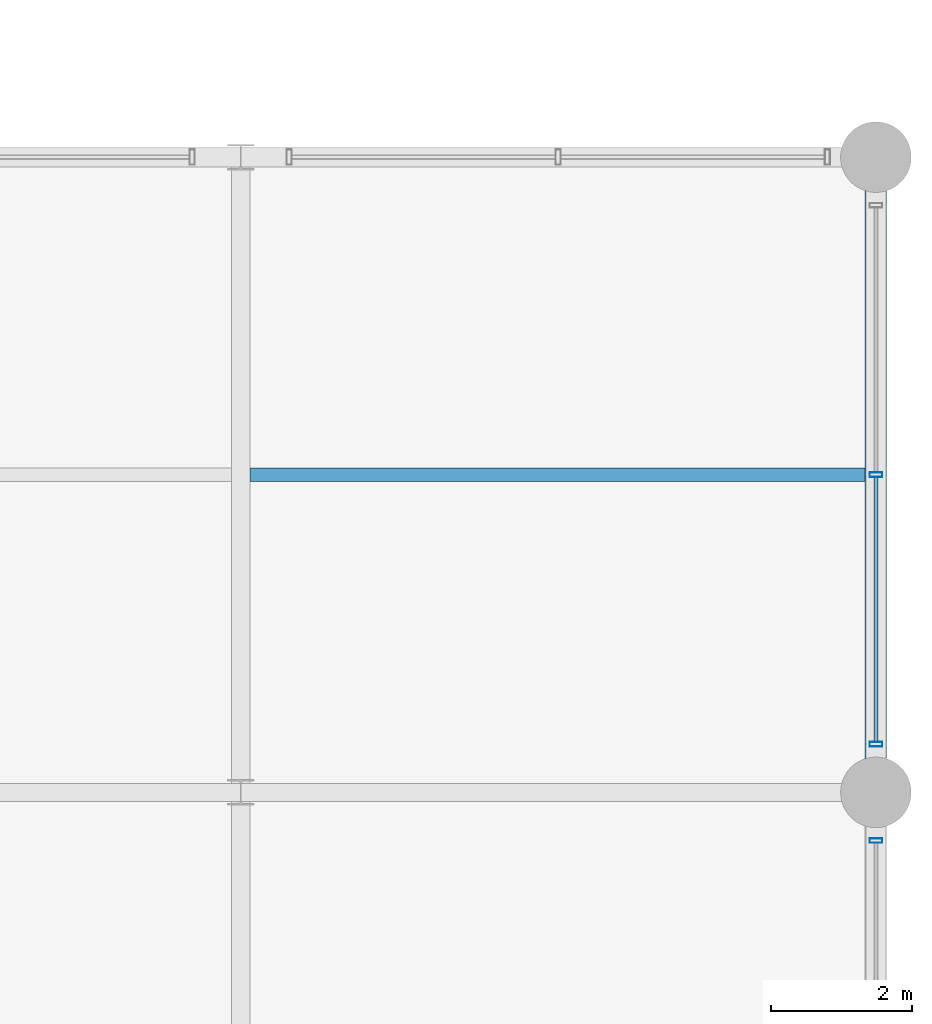
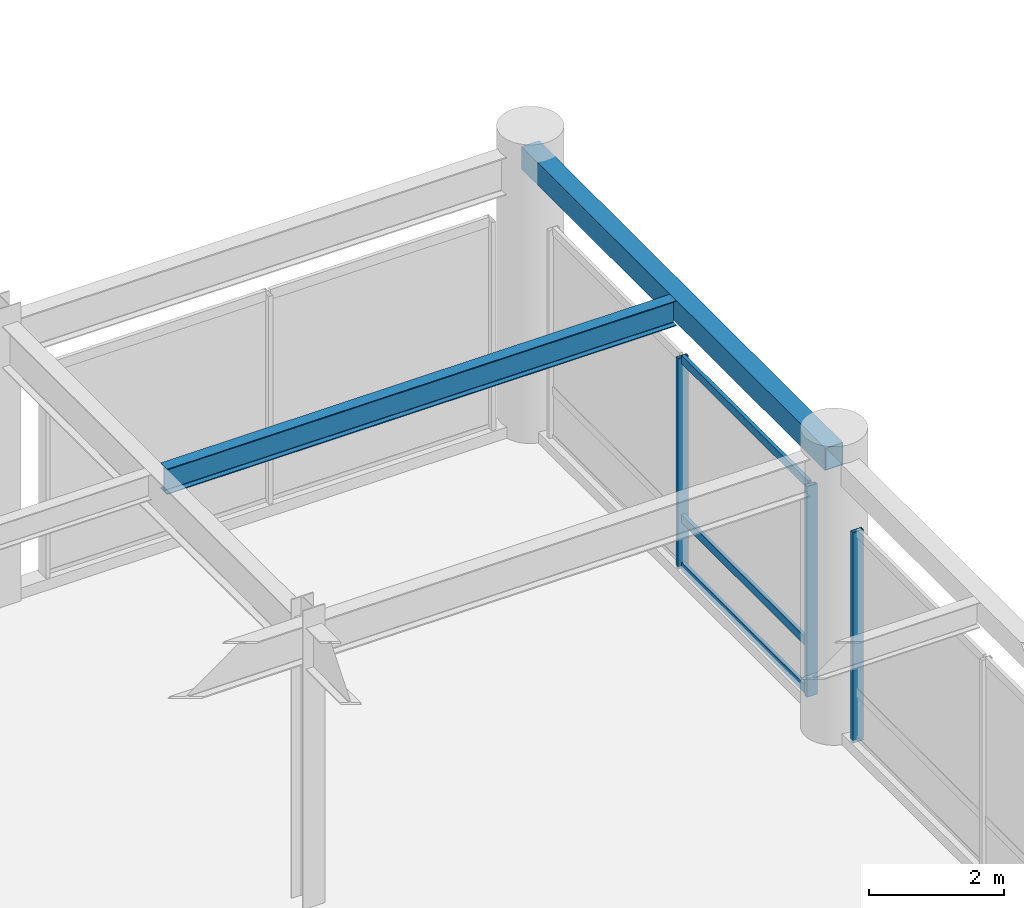
# One storey, part 49 of 100: 6 members, 2 beams, 2 elements without a shape of their own.
"""IFC4 building model written with IfcOpenShell, lengths in metres."""

from ifc_helpers import new_model, si_unit, direction, frame, origin, origin_2d, place, context, subcontext, project, spatial, hollow_rectangle, i_section, extrude, material, material_profile, profile_set, type_object, element, aggregate, save


model = new_model("IFC4")

# Units and contexts
model_context = context("Model", 3, precision=1e-05, world=origin(), true_north=direction((0.0, 1.0)))
body_context = subcontext(model_context, "Body", "Model", "MODEL_VIEW")
ifc_project = project(units=[si_unit("LENGTHUNIT", "METRE"), si_unit("AREAUNIT", "SQUARE_METRE"), si_unit("VOLUMEUNIT", "CUBIC_METRE"), si_unit("PLANEANGLEUNIT", "RADIAN"), si_unit("MASSUNIT", "GRAM", prefix="KILO")], contexts=[model_context])

# Site, building, storey
site_placement = place(None, origin())
site = spatial("IfcSite", under=ifc_project, at=site_placement, CompositionType="ELEMENT")
building_placement = place(site_placement, origin())
building = spatial("IfcBuilding", under=site, at=building_placement, Name="Kaldorvane Square Convention Centre", CompositionType="ELEMENT")
storey_placement = place(building_placement, frame((0.0, 0.0, 18.0)))
storey = spatial("IfcBuildingStorey", under=building, at=storey_placement, Name="L03", CompositionType="ELEMENT", Elevation=18.0)

# Beams
ifc_material_1 = material(Name="Steel ASTM A992 Gr. 50", Category="steel")
ifc_material_profile_1 = material_profile(ifc_material_1, i_section(OverallWidth=0.1912994384765625, OverallDepth=0.4600067138671875, WebThickness=0.0099029541015625, FlangeThickness=0.0160064697265625, FilletRadius=0.01019287109375, at=origin_2d()), Name="W18X55")
ifc_profile_set_1 = profile_set([ifc_material_profile_1], Name="Steel ASTM A992 Gr. 50")
beam_type_1 = type_object("IfcBeamType", Name="BM-JS-W18X55", PredefinedType="JOIST", material=ifc_profile_set_1)
beam_1_placement = place(storey_placement, frame((165.13330078125, 31.5, 4.8459930419921875), z_axis=(1.0, 0.0, 0.0), x_axis=(0.0, 1.0, 0.0)))
element("IfcBeam", 1, at=beam_1_placement, inside=storey, type_object=beam_type_1, Name="Secondary Floor Joist (L03)", PredefinedType="JOIST", context=body_context, shape_type="SweptSolid", body=[
    extrude(i_section(OverallWidth=0.1912994384765625, OverallDepth=0.4600067138671875, WebThickness=0.0099029541015625, FlangeThickness=0.0160064697265625, FilletRadius=0.01019287109375, at=origin_2d()), origin(), (0.0, 0.0, 1.0), 8.71429443359375),
])
ifc_material_2 = material(Name="Steel ASTM A500 Gr. C", Category="steel")
ifc_material_profile_2 = material_profile(ifc_material_2, hollow_rectangle(XDim=0.3047943115234375, YDim=0.406402587890625, WallThickness=0.0117950439453125, at=origin_2d()), Name="HSS16X12X1/2")
ifc_profile_set_2 = profile_set([ifc_material_profile_2], Name="Steel ASTM A500 Gr. C")
beam_type_2 = type_object("IfcBeamType", Name="BM-SP-HSS16", PredefinedType="SPANDREL", material=ifc_profile_set_2)
beam_2_placement = place(storey_placement, frame((174.0, 27.0, 4.872802734375), z_axis=(0.0, 1.0, 0.0), x_axis=(-1.0, 0.0, 0.0)))
element("IfcBeam", 2, at=beam_2_placement, inside=storey, type_object=beam_type_2, Name="End Spandrel (L03)", PredefinedType="SPANDREL", context=body_context, shape_type="SweptSolid", body=[
    extrude(hollow_rectangle(XDim=0.3047943115234375, YDim=0.406402587890625, WallThickness=0.0117950439453125, at=origin_2d()), origin(), (0.0, 0.0, 1.0), 9.0),
])

# Curtain wall, member
ifc_material_3 = material(Name="Anodized Aluminum and Low-E Insulated Glazing", Category="aluminium")
curtain_wall_type = type_object("IfcCurtainWallType", Name="CW-UNI-P54-09", PredefinedType="USERDEFINED", material=ifc_material_3)
curtain_wall_1_placement = place(storey_placement, origin())
curtain_wall_1 = element("IfcCurtainWall", 3, at=curtain_wall_1_placement, inside=storey, type_object=curtain_wall_type, Name="Curtain Wall CW-04 (L03)", ObjectType="UNITISED GLAZING", PredefinedType="USERDEFINED")
ifc_material_profile_3 = material_profile(ifc_material_3, hollow_rectangle(XDim=0.06500244140625, YDim=0.17999267578125, WallThickness=0.0034942626953125, at=origin_2d()), Name="CWM-180X65")
ifc_profile_set_3 = profile_set([ifc_material_profile_3], Name="Anodized Aluminum and Low-E Insulated Glazing")
member_type_1 = type_object("IfcMemberType", Name="CW-MUL-180", PredefinedType="MULLION", material=ifc_profile_set_3)
member_1_placement = place(storey_placement, frame((174.0, 26.3175048828125, 0.149993896484375), z_axis=(0.0, 0.0, 1.0), x_axis=(0.0, 1.0, 0.0)))
member_1 = element("IfcMember", 4, at=member_1_placement, type_object=member_type_1, Name="CW-04 mullion 3", PredefinedType="MULLION", context=body_context, shape_type="SweptSolid", body=[
    extrude(hollow_rectangle(XDim=0.06500244140625, YDim=0.17999267578125, WallThickness=0.0034942626953125, at=origin_2d()), origin(), (0.0, 0.0, 1.0), 3.8100128173828125),
])
aggregate(curtain_wall_1, [member_1])

# Curtain wall, members
curtain_wall_2_placement = place(storey_placement, origin())
curtain_wall_2 = element("IfcCurtainWall", 5, at=curtain_wall_2_placement, inside=storey, type_object=curtain_wall_type, Name="Curtain Wall CW-04 (L03)", ObjectType="UNITISED GLAZING", PredefinedType="USERDEFINED")
member_2_placement = place(storey_placement, frame((174.0, 27.6824951171875, 0.149993896484375), z_axis=(0.0, 0.0, 1.0), x_axis=(0.0, 1.0, 0.0)))
member_2 = element("IfcMember", 6, at=member_2_placement, type_object=member_type_1, Name="CW-04 mullion 1", PredefinedType="MULLION", context=body_context, shape_type="SweptSolid", body=[
    extrude(hollow_rectangle(XDim=0.06500244140625, YDim=0.17999267578125, WallThickness=0.0034942626953125, at=origin_2d()), origin(), (0.0, 0.0, 1.0), 3.8100128173828125),
])
member_3_placement = place(storey_placement, frame((174.0, 31.5, 0.149993896484375), z_axis=(0.0, 0.0, 1.0), x_axis=(0.0, 1.0, 0.0)))
member_3 = element("IfcMember", 7, at=member_3_placement, type_object=member_type_1, Name="CW-04 mullion 2", PredefinedType="MULLION", context=body_context, shape_type="SweptSolid", body=[
    extrude(hollow_rectangle(XDim=0.06500244140625, YDim=0.17999267578125, WallThickness=0.0034942626953125, at=origin_2d()), origin(), (0.0, 0.0, 1.0), 3.8100128173828125),
])
ifc_material_profile_4 = material_profile(ifc_material_3, hollow_rectangle(XDim=0.05999755859375, YDim=0.149993896484375, WallThickness=0.003204345703125, at=origin_2d()), Name="CWT-150X60")
ifc_profile_set_4 = profile_set([ifc_material_profile_4], Name="Anodized Aluminum and Low-E Insulated Glazing")
member_type_2 = type_object("IfcMemberType", Name="CW-TRN-150", PredefinedType="USERDEFINED", material=ifc_profile_set_4)
member_4_placement = place(storey_placement, frame((174.0, 27.714996337890625, 0.17999267578125), z_axis=(0.0, 1.0, 0.0), x_axis=(-1.0, 0.0, 0.0)))
member_4 = element("IfcMember", 8, at=member_4_placement, type_object=member_type_2, Name="CW-04 transom 1.1", ObjectType="TRANSOM", PredefinedType="USERDEFINED", context=body_context, shape_type="SweptSolid", body=[
    extrude(hollow_rectangle(XDim=0.05999755859375, YDim=0.149993896484375, WallThickness=0.003204345703125, at=origin_2d()), origin(), (0.0, 0.0, 1.0), 3.75250244140625),
])
member_5_placement = place(storey_placement, frame((174.0, 27.714996337890625, 1.0500030517578125), z_axis=(0.0, 1.0, 0.0), x_axis=(-1.0, 0.0, 0.0)))
member_5 = element("IfcMember", 9, at=member_5_placement, type_object=member_type_2, Name="CW-04 transom 1.2", ObjectType="TRANSOM", PredefinedType="USERDEFINED", context=body_context, shape_type="SweptSolid", body=[
    extrude(hollow_rectangle(XDim=0.05999755859375, YDim=0.149993896484375, WallThickness=0.003204345703125, at=origin_2d()), origin(), (0.0, 0.0, 1.0), 3.75250244140625),
])
member_6_placement = place(storey_placement, frame((174.0, 27.714996337890625, 3.92999267578125), z_axis=(0.0, 1.0, 0.0), x_axis=(-1.0, 0.0, 0.0)))
member_6 = element("IfcMember", 10, at=member_6_placement, type_object=member_type_2, Name="CW-04 transom 1.3", ObjectType="TRANSOM", PredefinedType="USERDEFINED", context=body_context, shape_type="SweptSolid", body=[
    extrude(hollow_rectangle(XDim=0.05999755859375, YDim=0.149993896484375, WallThickness=0.003204345703125, at=origin_2d()), origin(), (0.0, 0.0, 1.0), 3.75250244140625),
])
aggregate(curtain_wall_2, [member_2, member_3, member_4, member_5, member_6])

save(model, "model.ifc")
